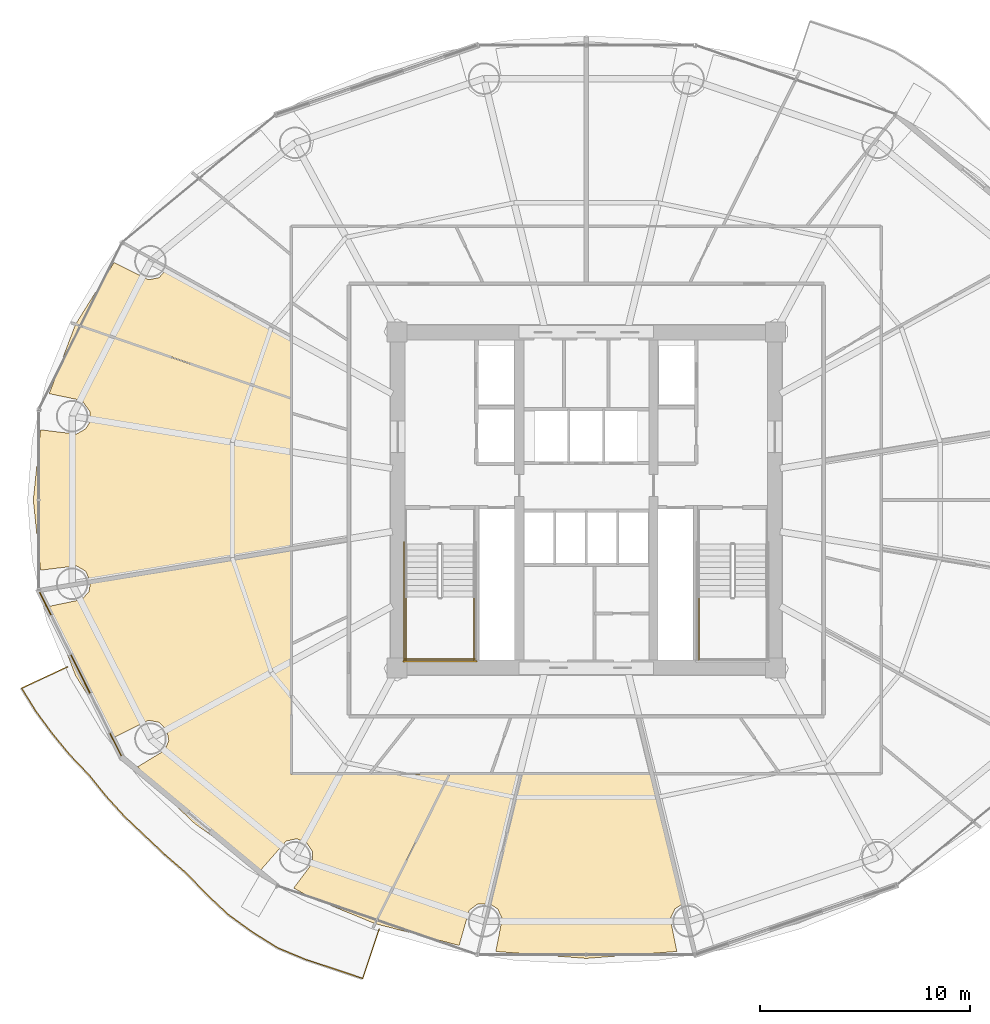
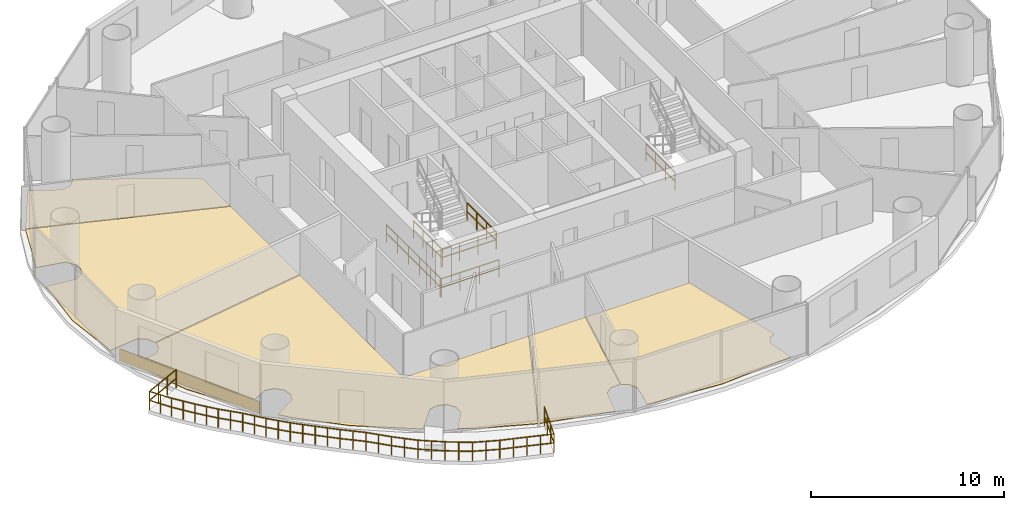
# One storey, part 26 of 29: 7 railings, 6 coverings.
"""IFC4 building model written with IfcOpenShell, lengths in metres."""

from ifc_helpers import new_model, si_unit, direction, frame, origin, origin_2d, place, context, subcontext, project, spatial, polyline, rectangle, outline, extrude, source, transform, mapped, material, layer, layer_set, type_object, element, save


model = new_model("IFC4")

# Units and contexts
model_context = context("Model", 3, precision=1e-05, world=origin(), true_north=direction((-0.2419218956, 0.970295726276)))
body_context = subcontext(model_context, "Body", "Model", "MODEL_VIEW")
ifc_project = project(units=[si_unit("LENGTHUNIT", "METRE"), si_unit("AREAUNIT", "SQUARE_METRE"), si_unit("VOLUMEUNIT", "CUBIC_METRE"), si_unit("PLANEANGLEUNIT", "RADIAN"), si_unit("MASSUNIT", "GRAM", prefix="KILO")], contexts=[model_context])

# Site, building, storey
site_placement = place(None, origin())
site = spatial("IfcSite", under=ifc_project, at=site_placement, CompositionType="ELEMENT")
building_placement = place(site_placement, origin())
building = spatial("IfcBuilding", under=site, at=building_placement, Name="Cobrevalo Terracotta Tower", CompositionType="ELEMENT")
storey_placement = place(building_placement, frame((0.0, 0.0, 87.0)))
storey = spatial("IfcBuildingStorey", under=building, at=storey_placement, Name="L22", CompositionType="ELEMENT", Elevation=87.0)

# Railing
ifc_material_1 = material(Name="Laminated structural glass and stainless steel", Category="steel")
railing_type_1 = type_object("IfcRailingType", Name="Balcony lobe structural glass & terracotta-cap balustrade 1180 mm", PredefinedType="BALUSTRADE", material=ifc_material_1)
railing_1_placement = place(storey_placement, frame((13.310302734375, 18.860595703125, 0.0)))
element("IfcRailing", 1, at=railing_1_placement, inside=storey, type_object=railing_type_1, Name="L22 spiralling balcony lobe balustrade 2", PredefinedType="BALUSTRADE", context=body_context, shape_type="SweptSolid", body=[
    extrude(rectangle(XDim=0.048095703125, YDim=0.048095703125, at=origin_2d()), frame((0.0, 0.0, 1.15576171875), z_axis=(-0.906583395985, -0.422026712573, 0.0), x_axis=(0.422026712573, -0.906583395985, 0.0)), (0.0, 0.0, 1.0), 2.412841796875),
    extrude(rectangle(XDim=0.048095703125, YDim=0.048095703125, at=origin_2d()), frame((0.0, 0.0, 0.58984375), z_axis=(-0.906583395985, -0.422026712573, 0.0), x_axis=(0.422026712573, -0.906583395985, 0.0)), (0.0, 0.0, 1.0), 2.412841796875),
    extrude(rectangle(XDim=0.048095703125, YDim=0.048095703125, at=origin_2d()), frame((-2.1875, -1.018310546875, 1.15576171875), z_axis=(0.525516786945, -0.850783231287, 0.0), x_axis=(0.850783231287, 0.525516786945, 0.0)), (0.0, 0.0, 1.0), 1.304443359375),
    extrude(rectangle(XDim=0.048095703125, YDim=0.048095703125, at=origin_2d()), frame((-2.1875, -1.018310546875, 0.58984375), z_axis=(0.525516786945, -0.850783231287, 0.0), x_axis=(0.850783231287, 0.525516786945, 0.0)), (0.0, 0.0, 1.0), 1.304443359375),
    extrude(rectangle(XDim=0.048095703125, YDim=0.048095703125, at=origin_2d()), frame((-1.501953125, -2.128173828125, 1.15576171875), z_axis=(0.594150435451, -0.80435393954, 0.0), x_axis=(0.80435393954, 0.594150435451, 0.0)), (0.0, 0.0, 1.0), 1.3125),
    extrude(rectangle(XDim=0.048095703125, YDim=0.048095703125, at=origin_2d()), frame((-1.501953125, -2.128173828125, 0.58984375), z_axis=(0.594150435451, -0.80435393954, 0.0), x_axis=(0.80435393954, 0.594150435451, 0.0)), (0.0, 0.0, 1.0), 1.3125),
    extrude(rectangle(XDim=0.048095703125, YDim=0.048095703125, at=origin_2d()), frame((-0.72216796875, -3.183837890625, 1.15576171875), z_axis=(0.634270545782, -0.773111165845, 0.0), x_axis=(0.773111165845, 0.634270545782, 0.0)), (0.0, 0.0, 1.0), 1.299560546875),
    extrude(rectangle(XDim=0.048095703125, YDim=0.048095703125, at=origin_2d()), frame((-0.72216796875, -3.183837890625, 0.58984375), z_axis=(0.634270545782, -0.773111165845, 0.0), x_axis=(0.773111165845, 0.634270545782, 0.0)), (0.0, 0.0, 1.0), 1.299560546875),
    extrude(rectangle(XDim=0.048095703125, YDim=0.048095703125, at=origin_2d()), frame((0.10205078125, -4.1884765625, 1.15576171875), z_axis=(0.691386541153, -0.722485052241, 0.0), x_axis=(0.722485052241, 0.691386541153, 0.0)), (0.0, 0.0, 1.0), 1.31884765625),
    extrude(rectangle(XDim=0.048095703125, YDim=0.048095703125, at=origin_2d()), frame((0.10205078125, -4.1884765625, 0.58984375), z_axis=(0.691386541153, -0.722485052241, 0.0), x_axis=(0.722485052241, 0.691386541153, 0.0)), (0.0, 0.0, 1.0), 1.31884765625),
    extrude(rectangle(XDim=0.048095703125, YDim=0.048095703125, at=origin_2d()), frame((1.013916015625, -5.141357421875, 1.15576171875), z_axis=(0.627840259597, -0.778342218069, 0.0), x_axis=(0.778342218069, 0.627840259597, 0.0)), (0.0, 0.0, 1.0), 1.30419921875),
    extrude(rectangle(XDim=0.048095703125, YDim=0.048095703125, at=origin_2d()), frame((1.013916015625, -5.141357421875, 0.58984375), z_axis=(0.627840259597, -0.778342218069, 0.0), x_axis=(0.778342218069, 0.627840259597, 0.0)), (0.0, 0.0, 1.0), 1.30419921875),
    extrude(rectangle(XDim=0.048095703125, YDim=0.048095703125, at=origin_2d()), frame((1.832763671875, -6.156494140625, 1.15576171875), z_axis=(0.672830179342, -0.739796965232, 0.0), x_axis=(0.739796965232, 0.672830179342, 0.0)), (0.0, 0.0, 1.0), 1.3125),
    extrude(rectangle(XDim=0.048095703125, YDim=0.048095703125, at=origin_2d()), frame((1.832763671875, -6.156494140625, 0.58984375), z_axis=(0.672830179342, -0.739796965232, 0.0), x_axis=(0.739796965232, 0.672830179342, 0.0)), (0.0, 0.0, 1.0), 1.3125),
    extrude(rectangle(XDim=0.048095703125, YDim=0.048095703125, at=origin_2d()), frame((2.7158203125, -7.12744140625, 1.15576171875), z_axis=(0.725402595905, -0.688324831641, 0.0), x_axis=(0.688324831641, 0.725402595905, 0.0)), (0.0, 0.0, 1.0), 1.330078125),
    extrude(rectangle(XDim=0.048095703125, YDim=0.048095703125, at=origin_2d()), frame((2.7158203125, -7.12744140625, 0.58984375), z_axis=(0.725402595905, -0.688324831641, 0.0), x_axis=(0.688324831641, 0.725402595905, 0.0)), (0.0, 0.0, 1.0), 1.330078125),
    extrude(rectangle(XDim=0.048095703125, YDim=0.048095703125, at=origin_2d()), frame((3.6806640625, -8.04296875, 1.15576171875), z_axis=(0.727843672917, -0.685743091685, 0.0), x_axis=(0.685743091685, 0.727843672917, 0.0)), (0.0, 0.0, 1.0), 1.327880859375),
    extrude(rectangle(XDim=0.048095703125, YDim=0.048095703125, at=origin_2d()), frame((3.6806640625, -8.04296875, 0.58984375), z_axis=(0.727843672917, -0.685743091685, 0.0), x_axis=(0.685743091685, 0.727843672917, 0.0)), (0.0, 0.0, 1.0), 1.327880859375),
    extrude(rectangle(XDim=0.048095703125, YDim=0.048095703125, at=origin_2d()), frame((4.647216796875, -8.95361328125, 1.15576171875), z_axis=(0.75643788174, -0.654065540347, 0.0), x_axis=(0.654065540347, 0.75643788174, 0.0)), (0.0, 0.0, 1.0), 1.3544921875),
    extrude(rectangle(XDim=0.048095703125, YDim=0.048095703125, at=origin_2d()), frame((4.647216796875, -8.95361328125, 0.58984375), z_axis=(0.75643788174, -0.654065540347, 0.0), x_axis=(0.654065540347, 0.75643788174, 0.0)), (0.0, 0.0, 1.0), 1.3544921875),
    extrude(rectangle(XDim=0.048095703125, YDim=0.048095703125, at=origin_2d()), frame((5.671875, -9.839599609375, 1.15576171875), z_axis=(0.691725757989, -0.722160283964, 0.0), x_axis=(0.722160283964, 0.691725757989, 0.0)), (0.0, 0.0, 1.0), 1.3876953125),
    extrude(rectangle(XDim=0.048095703125, YDim=0.048095703125, at=origin_2d()), frame((5.671875, -9.839599609375, 0.58984375), z_axis=(0.691725757989, -0.722160283964, 0.0), x_axis=(0.722160283964, 0.691725757989, 0.0)), (0.0, 0.0, 1.0), 1.3876953125),
    extrude(rectangle(XDim=0.048095703125, YDim=0.048095703125, at=origin_2d()), frame((6.6318359375, -10.841796875, 1.15576171875), z_axis=(0.730621259847, -0.682782963071, 0.0), x_axis=(0.682782963071, 0.730621259847, 0.0)), (0.0, 0.0, 1.0), 1.403564453125),
    extrude(rectangle(XDim=0.048095703125, YDim=0.048095703125, at=origin_2d()), frame((6.6318359375, -10.841796875, 0.58984375), z_axis=(0.730621259847, -0.682782963071, 0.0), x_axis=(0.682782963071, 0.730621259847, 0.0)), (0.0, 0.0, 1.0), 1.403564453125),
    extrude(rectangle(XDim=0.048095703125, YDim=0.048095703125, at=origin_2d()), frame((7.6572265625, -11.800048828125, 1.15576171875), z_axis=(0.809592021135, -0.586992980635, 0.0), x_axis=(0.586992980635, 0.809592021135, 0.0)), (0.0, 0.0, 1.0), 1.4169921875),
    extrude(rectangle(XDim=0.048095703125, YDim=0.048095703125, at=origin_2d()), frame((7.6572265625, -11.800048828125, 0.58984375), z_axis=(0.809592021135, -0.586992980635, 0.0), x_axis=(0.586992980635, 0.809592021135, 0.0)), (0.0, 0.0, 1.0), 1.4169921875),
    extrude(rectangle(XDim=0.048095703125, YDim=0.048095703125, at=origin_2d()), frame((8.804443359375, -12.6318359375, 1.15576171875), z_axis=(0.848742349004, -0.528806604543, 0.0), x_axis=(0.528806604543, 0.848742349004, 0.0)), (0.0, 0.0, 1.0), 1.417724609375),
    extrude(rectangle(XDim=0.048095703125, YDim=0.048095703125, at=origin_2d()), frame((8.804443359375, -12.6318359375, 0.58984375), z_axis=(0.848742349004, -0.528806604543, 0.0), x_axis=(0.528806604543, 0.848742349004, 0.0)), (0.0, 0.0, 1.0), 1.417724609375),
    extrude(rectangle(XDim=0.048095703125, YDim=0.048095703125, at=origin_2d()), frame((10.0078125, -13.381591796875, 1.15576171875), z_axis=(0.923213056875, -0.384288500498, 0.0), x_axis=(0.384288500498, 0.923213056875, 0.0)), (0.0, 0.0, 1.0), 1.431884765625),
    extrude(rectangle(XDim=0.048095703125, YDim=0.048095703125, at=origin_2d()), frame((10.0078125, -13.381591796875, 0.58984375), z_axis=(0.923213056875, -0.384288500498, 0.0), x_axis=(0.384288500498, 0.923213056875, 0.0)), (0.0, 0.0, 1.0), 1.431884765625),
    extrude(rectangle(XDim=0.048095703125, YDim=0.048095703125, at=origin_2d()), frame((11.329833984375, -13.931884765625, 1.15576171875), z_axis=(0.950335020269, -0.311228773173, 0.0), x_axis=(0.311228773173, 0.950335020269, 0.0)), (0.0, 0.0, 1.0), 1.43701171875),
    extrude(rectangle(XDim=0.048095703125, YDim=0.048095703125, at=origin_2d()), frame((11.329833984375, -13.931884765625, 0.58984375), z_axis=(0.950335020269, -0.311228773173, 0.0), x_axis=(0.311228773173, 0.950335020269, 0.0)), (0.0, 0.0, 1.0), 1.43701171875),
    extrude(rectangle(XDim=0.048095703125, YDim=0.048095703125, at=origin_2d()), frame((12.695556640625, -14.379150390625, 1.15576171875), z_axis=(0.947895866071, -0.318580330662, 0.0), x_axis=(0.318580330662, 0.947895866071, 0.0)), (0.0, 0.0, 1.0), 1.431640625),
    extrude(rectangle(XDim=0.048095703125, YDim=0.048095703125, at=origin_2d()), frame((12.695556640625, -14.379150390625, 0.58984375), z_axis=(0.947895866071, -0.318580330662, 0.0), x_axis=(0.318580330662, 0.947895866071, 0.0)), (0.0, 0.0, 1.0), 1.431640625),
    extrude(rectangle(XDim=0.048095703125, YDim=0.048095703125, at=origin_2d()), frame((14.052490234375, -14.835205078125, 1.15576171875), z_axis=(0.316257249138, 0.948673469834, 0.0), x_axis=(-0.948673469834, 0.316257249138, 0.0)), (0.0, 0.0, 1.0), 2.484130859375),
    extrude(rectangle(XDim=0.048095703125, YDim=0.048095703125, at=origin_2d()), frame((14.052490234375, -14.835205078125, 0.58984375), z_axis=(0.316257249138, 0.948673469834, 0.0), x_axis=(-0.948673469834, 0.316257249138, 0.0)), (0.0, 0.0, 1.0), 2.484130859375),
    extrude(rectangle(XDim=0.0419921875, YDim=0.0419921875, at=origin_2d()), origin(), (0.0, 0.0, 1.0), 1.1318359375),
    extrude(rectangle(XDim=0.0419921875, YDim=0.0419921875, at=origin_2d()), frame((-0.729248046875, -0.33935546875, 0.0)), (0.0, 0.0, 1.0), 1.1318359375),
    extrude(rectangle(XDim=0.0419921875, YDim=0.0419921875, at=origin_2d()), frame((-1.458251953125, -0.678955078125, 0.0)), (0.0, 0.0, 1.0), 1.1318359375),
    extrude(rectangle(XDim=0.0419921875, YDim=0.0419921875, at=origin_2d()), frame((-2.1875, -1.018310546875, 0.0)), (0.0, 0.0, 1.0), 1.1318359375),
    extrude(rectangle(XDim=0.0419921875, YDim=0.0419921875, at=origin_2d()), frame((-1.8447265625, -1.5732421875, 0.0)), (0.0, 0.0, 1.0), 1.1318359375),
    extrude(rectangle(XDim=0.0419921875, YDim=0.0419921875, at=origin_2d()), frame((-1.501953125, -2.128173828125, 0.0)), (0.0, 0.0, 1.0), 1.1318359375),
    extrude(rectangle(XDim=0.0419921875, YDim=0.0419921875, at=origin_2d()), frame((-1.112060546875, -2.656005859375, 0.0)), (0.0, 0.0, 1.0), 1.1318359375),
    extrude(rectangle(XDim=0.0419921875, YDim=0.0419921875, at=origin_2d()), frame((-0.72216796875, -3.183837890625, 0.0)), (0.0, 0.0, 1.0), 1.1318359375),
    extrude(rectangle(XDim=0.0419921875, YDim=0.0419921875, at=origin_2d()), frame((-0.31005859375, -3.68603515625, 0.0)), (0.0, 0.0, 1.0), 1.1318359375),
    extrude(rectangle(XDim=0.0419921875, YDim=0.0419921875, at=origin_2d()), frame((0.10205078125, -4.1884765625, 0.0)), (0.0, 0.0, 1.0), 1.1318359375),
    extrude(rectangle(XDim=0.0419921875, YDim=0.0419921875, at=origin_2d()), frame((0.55810546875, -4.6650390625, 0.0)), (0.0, 0.0, 1.0), 1.1318359375),
    extrude(rectangle(XDim=0.0419921875, YDim=0.0419921875, at=origin_2d()), frame((1.013916015625, -5.141357421875, 0.0)), (0.0, 0.0, 1.0), 1.1318359375),
    extrude(rectangle(XDim=0.0419921875, YDim=0.0419921875, at=origin_2d()), frame((1.42333984375, -5.64892578125, 0.0)), (0.0, 0.0, 1.0), 1.1318359375),
    extrude(rectangle(XDim=0.0419921875, YDim=0.0419921875, at=origin_2d()), frame((1.832763671875, -6.156494140625, 0.0)), (0.0, 0.0, 1.0), 1.1318359375),
    extrude(rectangle(XDim=0.0419921875, YDim=0.0419921875, at=origin_2d()), frame((2.2744140625, -6.64208984375, 0.0)), (0.0, 0.0, 1.0), 1.1318359375),
    extrude(rectangle(XDim=0.0419921875, YDim=0.0419921875, at=origin_2d()), frame((2.7158203125, -7.12744140625, 0.0)), (0.0, 0.0, 1.0), 1.1318359375),
    extrude(rectangle(XDim=0.0419921875, YDim=0.0419921875, at=origin_2d()), frame((3.1982421875, -7.585205078125, 0.0)), (0.0, 0.0, 1.0), 1.1318359375),
    extrude(rectangle(XDim=0.0419921875, YDim=0.0419921875, at=origin_2d()), frame((3.6806640625, -8.04296875, 0.0)), (0.0, 0.0, 1.0), 1.1318359375),
    extrude(rectangle(XDim=0.0419921875, YDim=0.0419921875, at=origin_2d()), frame((4.1640625, -8.498291015625, 0.0)), (0.0, 0.0, 1.0), 1.1318359375),
    extrude(rectangle(XDim=0.0419921875, YDim=0.0419921875, at=origin_2d()), frame((4.647216796875, -8.95361328125, 0.0)), (0.0, 0.0, 1.0), 1.1318359375),
    extrude(rectangle(XDim=0.0419921875, YDim=0.0419921875, at=origin_2d()), frame((5.15966796875, -9.396484375, 0.0)), (0.0, 0.0, 1.0), 1.1318359375),
    extrude(rectangle(XDim=0.0419921875, YDim=0.0419921875, at=origin_2d()), frame((5.671875, -9.839599609375, 0.0)), (0.0, 0.0, 1.0), 1.1318359375),
    extrude(rectangle(XDim=0.0419921875, YDim=0.0419921875, at=origin_2d()), frame((6.15185546875, -10.3408203125, 0.0)), (0.0, 0.0, 1.0), 1.1318359375),
    extrude(rectangle(XDim=0.0419921875, YDim=0.0419921875, at=origin_2d()), frame((6.6318359375, -10.841796875, 0.0)), (0.0, 0.0, 1.0), 1.1318359375),
    extrude(rectangle(XDim=0.0419921875, YDim=0.0419921875, at=origin_2d()), frame((7.14453125, -11.32080078125, 0.0)), (0.0, 0.0, 1.0), 1.1318359375),
    extrude(rectangle(XDim=0.0419921875, YDim=0.0419921875, at=origin_2d()), frame((7.6572265625, -11.800048828125, 0.0)), (0.0, 0.0, 1.0), 1.1318359375),
    extrude(rectangle(XDim=0.0419921875, YDim=0.0419921875, at=origin_2d()), frame((8.23095703125, -12.2158203125, 0.0)), (0.0, 0.0, 1.0), 1.1318359375),
    extrude(rectangle(XDim=0.0419921875, YDim=0.0419921875, at=origin_2d()), frame((8.804443359375, -12.6318359375, 0.0)), (0.0, 0.0, 1.0), 1.1318359375),
    extrude(rectangle(XDim=0.0419921875, YDim=0.0419921875, at=origin_2d()), frame((9.40625, -13.0068359375, 0.0)), (0.0, 0.0, 1.0), 1.1318359375),
    extrude(rectangle(XDim=0.0419921875, YDim=0.0419921875, at=origin_2d()), frame((10.0078125, -13.381591796875, 0.0)), (0.0, 0.0, 1.0), 1.1318359375),
    extrude(rectangle(XDim=0.0419921875, YDim=0.0419921875, at=origin_2d()), frame((10.6689453125, -13.65673828125, 0.0)), (0.0, 0.0, 1.0), 1.1318359375),
    extrude(rectangle(XDim=0.0419921875, YDim=0.0419921875, at=origin_2d()), frame((11.329833984375, -13.931884765625, 0.0)), (0.0, 0.0, 1.0), 1.1318359375),
    extrude(rectangle(XDim=0.0419921875, YDim=0.0419921875, at=origin_2d()), frame((12.0126953125, -14.155517578125, 0.0)), (0.0, 0.0, 1.0), 1.1318359375),
    extrude(rectangle(XDim=0.0419921875, YDim=0.0419921875, at=origin_2d()), frame((12.695556640625, -14.379150390625, 0.0)), (0.0, 0.0, 1.0), 1.1318359375),
    extrude(rectangle(XDim=0.0419921875, YDim=0.0419921875, at=origin_2d()), frame((13.3740234375, -14.607177734375, 0.0)), (0.0, 0.0, 1.0), 1.1318359375),
    extrude(rectangle(XDim=0.0419921875, YDim=0.0419921875, at=origin_2d()), frame((14.052490234375, -14.835205078125, 0.0)), (0.0, 0.0, 1.0), 1.1318359375),
    extrude(rectangle(XDim=0.0419921875, YDim=0.0419921875, at=origin_2d()), frame((14.314453125, -14.049560546875, 0.0)), (0.0, 0.0, 1.0), 1.1318359375),
    extrude(rectangle(XDim=0.0419921875, YDim=0.0419921875, at=origin_2d()), frame((14.576171875, -13.26416015625, 0.0)), (0.0, 0.0, 1.0), 1.1318359375),
    extrude(rectangle(XDim=0.0419921875, YDim=0.0419921875, at=origin_2d()), frame((14.838134765625, -12.478515625, 0.0)), (0.0, 0.0, 1.0), 1.1318359375),
])

# Coverings
ifc_material_2 = material(Name="Engineered Brazilian hardwood flooring", Category="wood")
ifc_layer_1 = layer(ifc_material_2, 0.028076171875)
ifc_layer_set_1 = layer_set([ifc_layer_1], Name="Engineered Brazilian hardwood flooring")
covering_type_1 = type_object("IfcCoveringType", Name="Engineered Hardwood Suite Flooring 28", PredefinedType="FLOORING", material=ifc_layer_set_1)
covering_1_placement = place(storey_placement, origin())
element("IfcCovering", 2, at=covering_1_placement, inside=storey, type_object=covering_type_1, Name="Flat L22B Principal Guest Bedroom floor finish", PredefinedType="FLOORING", context=body_context, shape_type="SweptSolid", body=[
    extrude(outline(polyline([(15.525146484375, 38.10546875), (17.15966796875, 37.286376953125), (17.661865234375, 37.381103515625), (18.0703125, 37.8408203125), (23.945068359375, 34.57958984375), (23.945068359375, 31.657958984375), (13.703125, 35.1826171875), (15.525146484375, 38.10546875)])), origin(), (0.0, 0.0, 1.0), 0.030029296875),
])
covering_2_placement = place(storey_placement, origin())
element("IfcCovering", 3, at=covering_2_placement, inside=storey, type_object=covering_type_1, Name="Flat L22B Penthouse Family Lounge floor finish", PredefinedType="FLOORING", context=body_context, shape_type="SweptSolid", body=[
    extrude(outline(polyline([(12.024169921875, 30.143310546875), (13.73095703125, 29.932861328125), (14.1728515625, 30.189208984375), (14.353759765625, 30.481201171875), (14.38623046875, 30.9912109375), (13.99267578125, 31.537841796875), (12.435791015625, 31.859619140625), (13.6845703125, 35.146728515625), (23.945068359375, 31.61572265625), (23.945068359375, 24.49755859375), (14.39697265625, 22.919677734375), (14.1728515625, 23.41064453125), (13.73095703125, 23.6669921875), (12.024169921875, 23.45654296875), (11.68017578125, 26.800048828125), (12.024169921875, 30.143310546875)])), origin(), (0.0, 0.0, 1.0), 0.030029296875),
])
covering_3_placement = place(storey_placement, origin())
element("IfcCovering", 4, at=covering_3_placement, inside=storey, type_object=covering_type_1, Name="Flat L22C Penthouse Living and Dining Room floor finish", PredefinedType="FLOORING", context=body_context, shape_type="SweptSolid", body=[
    extrude(outline(polyline([(24.838623046875, 7.904052734375), (24.07568359375, 8.32666015625), (24.9814453125, 9.543701171875), (24.97998046875, 10.0546875), (24.694580078125, 10.478515625), (24.221923828125, 10.672607421875), (23.72119140625, 10.5712890625), (22.511474609375, 9.193359375), (19.3876953125, 11.372314453125), (17.117919921875, 13.518310546875), (16.64697265625, 14.102294921875), (17.94091796875, 14.88720703125), (18.131591796875, 15.361328125), (18.02685546875, 15.861328125), (17.661865234375, 16.218994140625), (17.15966796875, 16.3134765625), (15.525146484375, 15.49462890625), (13.682861328125, 18.451171875), (12.435791015625, 21.740478515625), (13.99267578125, 22.06201171875), (14.330322265625, 22.445556640625), (14.402587890625, 22.8798828125), (23.945068359375, 24.45703125), (23.945068359375, 13.7451171875), (31.468994140625, 13.7451171875), (27.92822265625, 6.64306640625), (24.838623046875, 7.904052734375)])), origin(), (0.0, 0.0, 1.0), 0.030029296875),
])
covering_4_placement = place(storey_placement, origin())
element("IfcCovering", 5, at=covering_4_placement, inside=storey, type_object=covering_type_1, Name="Flat L22C Master Bedroom floor finish", PredefinedType="FLOORING", context=body_context, shape_type="SweptSolid", body=[
    extrude(outline(polyline([(27.966552734375, 6.630126953125), (31.513671875, 13.7451171875), (34.853759765625, 13.7451171875), (33.37890625, 7.584716796875), (32.829833984375, 7.5693359375), (32.421875, 7.261962890625), (31.94921875, 5.59814453125), (27.966552734375, 6.630126953125)])), origin(), (0.0, 0.0, 1.0), 0.030029296875),
])
covering_5_placement = place(storey_placement, origin())
element("IfcCovering", 6, at=covering_5_placement, inside=storey, type_object=covering_type_1, Name="Flat L22C Penthouse Family Lounge floor finish", PredefinedType="FLOORING", context=body_context, shape_type="SweptSolid", body=[
    extrude(outline(polyline([(33.6904296875, 5.310791015625), (34.002197265625, 6.87841796875), (33.7802734375, 7.3388671875), (33.4169921875, 7.5712890625), (34.89501953125, 13.7451171875), (41.10498046875, 13.7451171875), (42.5830078125, 7.5712890625), (42.2197265625, 7.3388671875), (41.997802734375, 6.87841796875), (42.3095703125, 5.310791015625), (38.0, 4.97998046875), (33.6904296875, 5.310791015625)])), origin(), (0.0, 0.0, 1.0), 0.030029296875),
])

# Railings
ifc_material_3 = material(Name="Painted galvanized steel", Category="steel")
railing_type_2 = type_object("IfcRailingType", Name="Stair Well Guard Balustrade 1150", PredefinedType="GUARDRAIL", material=ifc_material_3)
for number, where, name in (
    (7, (29.425048828125, 22.179931640625, 1.800048828125), "L22 ST-1 stair guard 3"),
    (8, (32.64501953125, 22.179931640625, 1.800048828125), "L22 ST-1 stair guard 4"),
):
    element("IfcRailing", number, at=place(storey_placement, frame(where)), inside=storey, type_object=railing_type_2, Name=name, PredefinedType="GUARDRAIL", context=body_context, shape_type="SweptSolid", body=[
        extrude(rectangle(XDim=0.048095703125, YDim=0.048095703125, at=origin_2d()), frame((0.0, 0.0, 1.1259765625), z_axis=(0.0, -1.0, 0.0), x_axis=(1.0, 0.0, 0.0)), (0.0, 0.0, 1.0), 3.0048828125),
        extrude(rectangle(XDim=0.048095703125, YDim=0.048095703125, at=origin_2d()), frame((0.0, 0.0, 0.574951171875), z_axis=(0.0, -1.0, 0.0), x_axis=(1.0, 0.0, 0.0)), (0.0, 0.0, 1.0), 3.0048828125),
        extrude(rectangle(XDim=0.0419921875, YDim=0.0419921875, at=origin_2d()), origin(), (0.0, 0.0, 1.0), 1.101806640625),
        extrude(rectangle(XDim=0.0419921875, YDim=0.0419921875, at=origin_2d()), frame((0.0, -1.001708984375, 0.0)), (0.0, 0.0, 1.0), 1.101806640625),
        extrude(rectangle(XDim=0.0419921875, YDim=0.0419921875, at=origin_2d()), frame((0.0, -2.003173828125, 0.0)), (0.0, 0.0, 1.0), 1.101806640625),
        extrude(rectangle(XDim=0.0419921875, YDim=0.0419921875, at=origin_2d()), frame((0.0, -3.0048828125, 0.0)), (0.0, 0.0, 1.0), 1.101806640625),
    ])
railing_2_placement = place(storey_placement, frame((29.375, 19.22509765625, 1.800048828125)))
element("IfcRailing", 9, at=railing_2_placement, inside=storey, type_object=railing_type_2, Name="L22 ST-1 stair guard 5", PredefinedType="GUARDRAIL", context=body_context, shape_type="SweptSolid", body=[
    extrude(rectangle(XDim=0.048095703125, YDim=0.048095703125, at=origin_2d()), frame((0.0, 0.0, 1.1259765625), z_axis=(1.0, 0.0, 0.0), x_axis=(0.0, 1.0, 0.0)), (0.0, 0.0, 1.0), 3.320068359375),
    extrude(rectangle(XDim=0.048095703125, YDim=0.048095703125, at=origin_2d()), frame((0.0, 0.0, 0.574951171875), z_axis=(1.0, 0.0, 0.0), x_axis=(0.0, 1.0, 0.0)), (0.0, 0.0, 1.0), 3.320068359375),
    extrude(rectangle(XDim=0.0419921875, YDim=0.0419921875, at=origin_2d()), origin(), (0.0, 0.0, 1.0), 1.101806640625),
    extrude(rectangle(XDim=0.0419921875, YDim=0.0419921875, at=origin_2d()), frame((1.106689453125, 0.0, 0.0)), (0.0, 0.0, 1.0), 1.101806640625),
    extrude(rectangle(XDim=0.0419921875, YDim=0.0419921875, at=origin_2d()), frame((2.21337890625, 0.0, 0.0)), (0.0, 0.0, 1.0), 1.101806640625),
    extrude(rectangle(XDim=0.0419921875, YDim=0.0419921875, at=origin_2d()), frame((3.320068359375, 0.0, 0.0)), (0.0, 0.0, 1.0), 1.101806640625),
])
railing_3_placement = place(storey_placement, frame((29.324951171875, 24.800048828125, 0.0)))
element("IfcRailing", 10, at=railing_3_placement, inside=storey, type_object=railing_type_2, Name="L22 ST-1 stair guard 10", PredefinedType="GUARDRAIL", context=body_context, shape_type="SweptSolid", body=[
    extrude(rectangle(XDim=0.048095703125, YDim=0.048095703125, at=origin_2d()), frame((0.0, 0.0, 1.1259765625), z_axis=(0.0, -1.0, 0.0), x_axis=(1.0, 0.0, 0.0)), (0.0, 0.0, 1.0), 5.72509765625),
    extrude(rectangle(XDim=0.048095703125, YDim=0.048095703125, at=origin_2d()), frame((0.0, 0.0, 0.574951171875), z_axis=(0.0, -1.0, 0.0), x_axis=(1.0, 0.0, 0.0)), (0.0, 0.0, 1.0), 5.72509765625),
    extrude(rectangle(XDim=0.0419921875, YDim=0.0419921875, at=origin_2d()), origin(), (0.0, 0.0, 1.0), 1.101806640625),
    extrude(rectangle(XDim=0.0419921875, YDim=0.0419921875, at=origin_2d()), frame((0.0, -1.14501953125, 0.0)), (0.0, 0.0, 1.0), 1.101806640625),
    extrude(rectangle(XDim=0.0419921875, YDim=0.0419921875, at=origin_2d()), frame((0.0, -2.2900390625, 0.0)), (0.0, 0.0, 1.0), 1.101806640625),
    extrude(rectangle(XDim=0.0419921875, YDim=0.0419921875, at=origin_2d()), frame((0.0, -3.43505859375, 0.0)), (0.0, 0.0, 1.0), 1.101806640625),
    extrude(rectangle(XDim=0.0419921875, YDim=0.0419921875, at=origin_2d()), frame((0.0, -4.580078125, 0.0)), (0.0, 0.0, 1.0), 1.101806640625),
    extrude(rectangle(XDim=0.0419921875, YDim=0.0419921875, at=origin_2d()), frame((0.0, -5.72509765625, 0.0)), (0.0, 0.0, 1.0), 1.101806640625),
])
railing_4_placement = place(storey_placement, frame((29.27490234375, 19.125, 0.0)))
element("IfcRailing", 11, at=railing_4_placement, inside=storey, type_object=railing_type_2, Name="L22 ST-1 stair guard 12", PredefinedType="GUARDRAIL", context=body_context, shape_type="SweptSolid", body=[
    extrude(rectangle(XDim=0.048095703125, YDim=0.048095703125, at=origin_2d()), frame((0.0, 0.0, 1.1259765625), z_axis=(1.0, 0.0, 0.0), x_axis=(0.0, 1.0, 0.0)), (0.0, 0.0, 1.0), 3.52001953125),
    extrude(rectangle(XDim=0.048095703125, YDim=0.048095703125, at=origin_2d()), frame((0.0, 0.0, 0.574951171875), z_axis=(1.0, 0.0, 0.0), x_axis=(0.0, 1.0, 0.0)), (0.0, 0.0, 1.0), 3.52001953125),
    extrude(rectangle(XDim=0.0419921875, YDim=0.0419921875, at=origin_2d()), origin(), (0.0, 0.0, 1.0), 1.101806640625),
    extrude(rectangle(XDim=0.0419921875, YDim=0.0419921875, at=origin_2d()), frame((1.17333984375, 0.0, 0.0)), (0.0, 0.0, 1.0), 1.101806640625),
    extrude(rectangle(XDim=0.0419921875, YDim=0.0419921875, at=origin_2d()), frame((2.3466796875, 0.0, 0.0)), (0.0, 0.0, 1.0), 1.101806640625),
    extrude(rectangle(XDim=0.0419921875, YDim=0.0419921875, at=origin_2d()), frame((3.52001953125, 0.0, 0.0)), (0.0, 0.0, 1.0), 1.101806640625),
])
railing_5_placement = place(storey_placement, frame((43.35498046875, 22.179931640625, 1.800048828125)))
element("IfcRailing", 12, at=railing_5_placement, inside=storey, type_object=railing_type_2, Name="L22 ST-2 stair guard 3", PredefinedType="GUARDRAIL", context=body_context, shape_type="SweptSolid", body=[
    extrude(rectangle(XDim=0.048095703125, YDim=0.048095703125, at=origin_2d()), frame((0.0, 0.0, 1.1259765625), z_axis=(0.0, -1.0, 0.0), x_axis=(1.0, 0.0, 0.0)), (0.0, 0.0, 1.0), 3.0048828125),
    extrude(rectangle(XDim=0.048095703125, YDim=0.048095703125, at=origin_2d()), frame((0.0, 0.0, 0.574951171875), z_axis=(0.0, -1.0, 0.0), x_axis=(1.0, 0.0, 0.0)), (0.0, 0.0, 1.0), 3.0048828125),
    extrude(rectangle(XDim=0.0419921875, YDim=0.0419921875, at=origin_2d()), origin(), (0.0, 0.0, 1.0), 1.101806640625),
    extrude(rectangle(XDim=0.0419921875, YDim=0.0419921875, at=origin_2d()), frame((0.0, -1.001708984375, 0.0)), (0.0, 0.0, 1.0), 1.101806640625),
    extrude(rectangle(XDim=0.0419921875, YDim=0.0419921875, at=origin_2d()), frame((0.0, -2.003173828125, 0.0)), (0.0, 0.0, 1.0), 1.101806640625),
    extrude(rectangle(XDim=0.0419921875, YDim=0.0419921875, at=origin_2d()), frame((0.0, -3.0048828125, 0.0)), (0.0, 0.0, 1.0), 1.101806640625),
])

# Covering
ifc_material_4 = material(Name="Glazed terracotta facade cladding tile", Category="masonry")
ifc_layer_2 = layer(ifc_material_4, 0.044921875)
ifc_layer_set_2 = layer_set([ifc_layer_2], Name="Glazed terracotta facade cladding tile")
covering_type_2 = type_object("IfcCoveringType", Name="Architectural terracotta rainscreen spandrel cladding 45 mm", PredefinedType="CLADDING", material=ifc_layer_set_2)
shared_shape = source(origin(), body_context, "Body", "SweptSolid", [
    extrude(rectangle(XDim=8.690185546875, YDim=0.044921875, at=origin_2d()), origin(), (0.0, 0.0, 1.0), 0.760009765625),
])
covering_6_placement = place(storey_placement, frame((13.924072265625, 18.516357421875, 0.0400390625), z_axis=(0.0, 0.0, 1.0), x_axis=(0.446261852127, -0.894902430065, 0.0)))
element("IfcCovering", 13, at=covering_6_placement, inside=storey, type_object=covering_type_2, Name="L22 terracotta spandrel cladding S09", PredefinedType="CLADDING", context=body_context, shape_type="MappedRepresentation", body=[
    mapped(shared_shape, transform((0.0, 0.0, 0.0), scale=1.0)),
])

save(model, "model.ifc")
